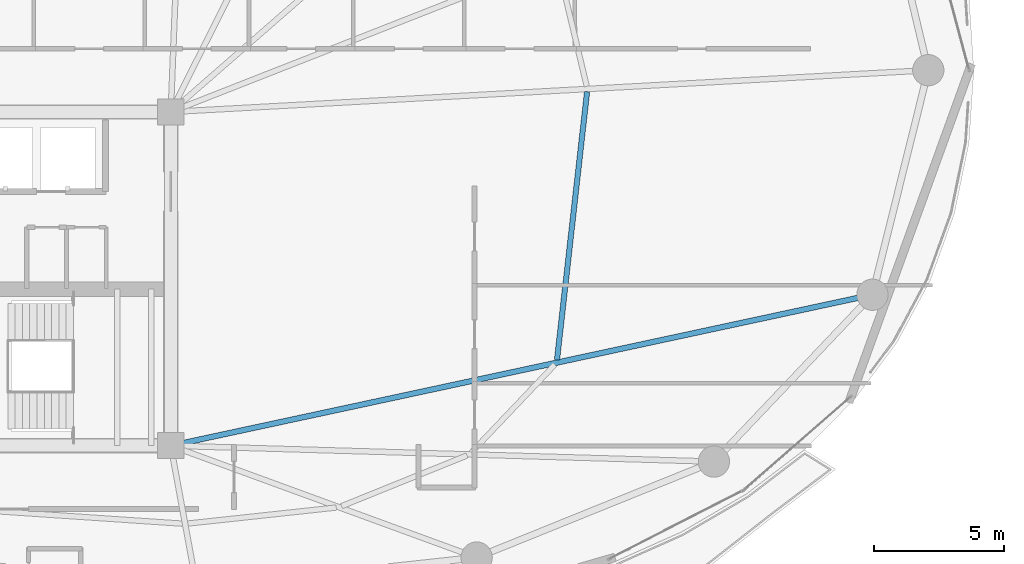
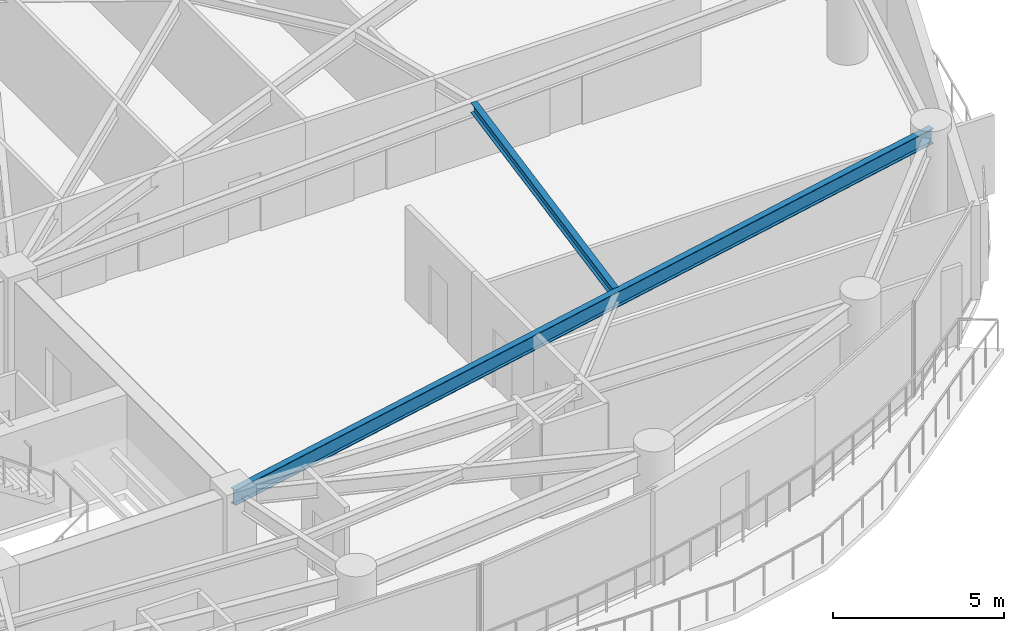
# One storey, part 12 of 28: 2 beams.
"""IFC4 building model written with IfcOpenShell, lengths in metres."""

from ifc_helpers import new_model, si_unit, direction, frame, origin, origin_2d, place, context, subcontext, project, spatial, i_section, extrude, material, material_profile, profile_set, type_object, element, save


model = new_model("IFC4")

# Units and contexts
model_context = context("Model", 3, precision=1e-05, world=origin(), true_north=direction((0.0, 1.0)))
body_context = subcontext(model_context, "Body", "Model", "MODEL_VIEW")
ifc_project = project(units=[si_unit("LENGTHUNIT", "METRE"), si_unit("AREAUNIT", "SQUARE_METRE"), si_unit("VOLUMEUNIT", "CUBIC_METRE"), si_unit("PLANEANGLEUNIT", "RADIAN"), si_unit("MASSUNIT", "GRAM", prefix="KILO")], contexts=[model_context])

# Site, building, storey
site_placement = place(None, origin())
site = spatial("IfcSite", under=ifc_project, at=site_placement, CompositionType="ELEMENT")
building_placement = place(site_placement, origin())
building = spatial("IfcBuilding", under=site, at=building_placement, Name="Kazevale Care Tower and Concert Hall", CompositionType="ELEMENT")
storey_placement = place(building_placement, frame((0.0, 0.0, 138.60009765625)))
storey = spatial("IfcBuildingStorey", under=building, at=storey_placement, Name="L36", CompositionType="ELEMENT", Elevation=138.60009765625)

# Beams
ifc_material = material(Name="Steel ASTM A572 Gr 50", Category="steel")
ifc_material_profile_1 = material_profile(ifc_material, i_section(OverallWidth=0.2119140625, OverallDepth=0.5439453125, WebThickness=0.01318359375, FlangeThickness=0.021240234375, at=origin_2d()), Name="W530x123")
ifc_profile_set_1 = profile_set([ifc_material_profile_1], Name="Steel ASTM A572 Gr 50")
beam_type_1 = type_object("IfcBeamType", Name="Radial Floor Girder W530x123", PredefinedType="BEAM", material=ifc_profile_set_1)
beam_1_placement = place(storey_placement, frame((44.0, 23.60009765625, 3.087890625), z_axis=(0.97762801725, 0.210341293823, 0.0), x_axis=(-0.210341293823, 0.97762801725, 0.0)))
element("IfcBeam", 1, at=beam_1_placement, inside=storey, type_object=beam_type_1, Name="beam:L36:rad:16", PredefinedType="BEAM", context=body_context, shape_type="SweptSolid", body=[
    extrude(i_section(OverallWidth=0.2119140625, OverallDepth=0.5439453125, WebThickness=0.01318359375, FlangeThickness=0.021240234375, at=origin_2d()), origin(), (0.0, 0.0, 1.0), 27.525634765625),
])
ifc_material_profile_2 = material_profile(ifc_material, i_section(OverallWidth=0.205078125, OverallDepth=0.35400390625, WebThickness=0.009521484375, FlangeThickness=0.016845703125, at=origin_2d()), Name="W360x79")
ifc_profile_set_2 = profile_set([ifc_material_profile_2], Name="Steel ASTM A572 Gr 50")
beam_type_2 = type_object("IfcBeamType", Name="Secondary Floor Joist W360x79", PredefinedType="JOIST", material=ifc_profile_set_2)
beam_2_placement = place(storey_placement, frame((58.81201171875, 26.888916015625, 3.182861328125), z_axis=(0.111485011105, 0.993766115491, 0.0), x_axis=(-0.993766115491, 0.111485011105, 0.0)))
element("IfcBeam", 2, at=beam_2_placement, inside=storey, type_object=beam_type_2, Name="beam:L36:joist:16", PredefinedType="JOIST", context=body_context, shape_type="SweptSolid", body=[
    extrude(i_section(OverallWidth=0.205078125, OverallDepth=0.35400390625, WebThickness=0.009521484375, FlangeThickness=0.016845703125, at=origin_2d()), origin(), (0.0, 0.0, 1.0), 10.3515625),
])

save(model, "model.ifc")
